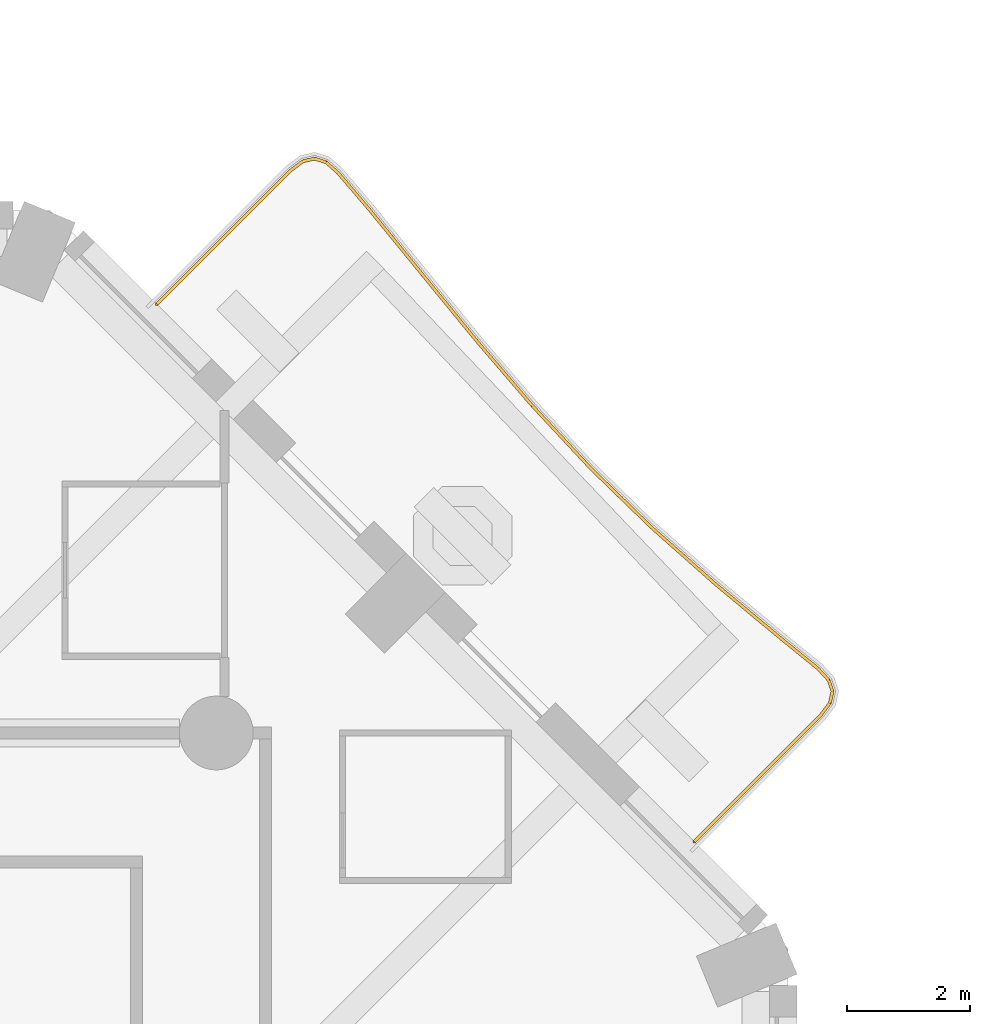
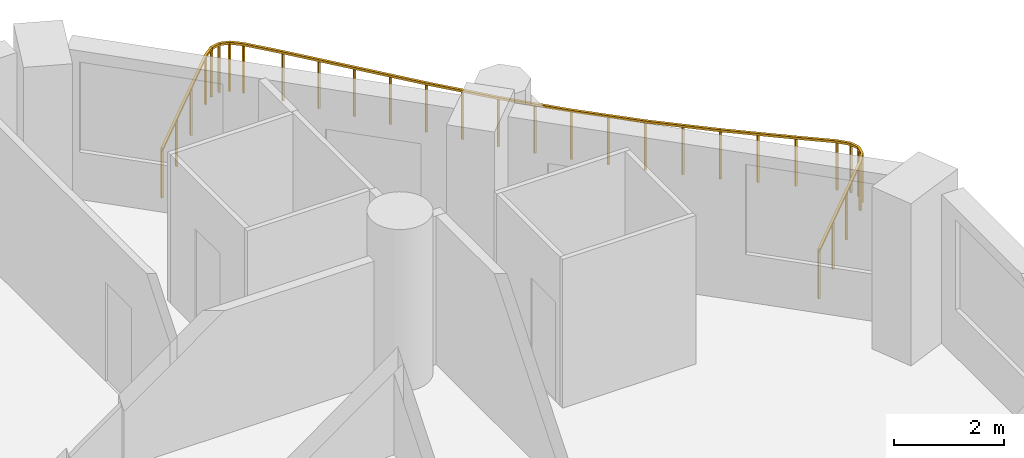
# One storey, part 19 of 20: 1 railing.
"""IFC4 building model written with IfcOpenShell, lengths in metres."""

from ifc_helpers import new_model, si_unit, direction, frame, origin, origin_2d, place, context, subcontext, project, spatial, rectangle, extrude, material, type_object, element, save


model = new_model("IFC4")

# Units and contexts
model_context = context("Model", 3, precision=1e-05, world=origin(), true_north=direction((0.0, 1.0)))
body_context = subcontext(model_context, "Body", "Model", "MODEL_VIEW")
ifc_project = project(units=[si_unit("LENGTHUNIT", "METRE"), si_unit("AREAUNIT", "SQUARE_METRE"), si_unit("VOLUMEUNIT", "CUBIC_METRE"), si_unit("PLANEANGLEUNIT", "RADIAN"), si_unit("MASSUNIT", "GRAM", prefix="KILO")], contexts=[model_context])

# Site, building, storey
site_placement = place(None, origin())
site = spatial("IfcSite", under=ifc_project, at=site_placement, CompositionType="ELEMENT")
building_placement = place(site_placement, origin())
building = spatial("IfcBuilding", under=site, at=building_placement, Name="Cypress Arch Tower", CompositionType="ELEMENT")
storey_placement = place(building_placement, frame((0.0, 0.0, 59.10009765625)))
storey = spatial("IfcBuildingStorey", under=building, at=storey_placement, Name="L08", CompositionType="ELEMENT", Elevation=59.10009765625)

# Railing
ifc_material = material(Name="Powder-coated steel posts and rods, 100 mm clear between rods", Category="steel")
railing_type = type_object("IfcRailingType", Name="Balcony guard GR1100", PredefinedType="GUARDRAIL", material=ifc_material)
railing_placement = place(storey_placement, frame((14.33251953125, 24.479736328125, 0.0)))
element("IfcRailing", 1, at=railing_placement, inside=storey, type_object=railing_type, Name="Balcony guard L08-A07", PredefinedType="GUARDRAIL", context=body_context, shape_type="SweptSolid", body=[
    extrude(rectangle(XDim=0.050048828125, YDim=0.050048828125, at=origin_2d()), frame((0.0, 0.0, 1.0751953125), z_axis=(0.707106781187, 0.707106781187, 0.0), x_axis=(-0.707106781187, 0.707106781187, 0.0)), (0.0, 0.0, 1.0), 3.06494140625),
    extrude(rectangle(XDim=0.050048828125, YDim=0.050048828125, at=origin_2d()), frame((2.167236328125, 2.167236328125, 1.0751953125), z_axis=(0.800677710026, 0.599095321855, 0.0), x_axis=(-0.599095321855, 0.800677710026, 0.0)), (0.0, 0.0, 1.0), 0.25927734375),
    extrude(rectangle(XDim=0.050048828125, YDim=0.050048828125, at=origin_2d()), frame((2.374755859375, 2.322509765625, 1.0751953125), z_axis=(0.97472665696, 0.223400859918, 0.0), x_axis=(-0.223400859918, 0.97472665696, 0.0)), (0.0, 0.0, 1.0), 0.195556640625),
    extrude(rectangle(XDim=0.050048828125, YDim=0.050048828125, at=origin_2d()), frame((2.5654296875, 2.3662109375, 1.0751953125), z_axis=(0.954258047612, -0.298984244683, 0.0), x_axis=(0.298984244683, 0.954258047612, 0.0)), (0.0, 0.0, 1.0), 0.196044921875),
    extrude(rectangle(XDim=0.050048828125, YDim=0.050048828125, at=origin_2d()), frame((2.75244140625, 2.3076171875, 1.0751953125), z_axis=(0.750881700664, -0.660436727937, 0.0), x_axis=(0.660436727937, 0.750881700664, 0.0)), (0.0, 0.0, 1.0), 0.259033203125),
    extrude(rectangle(XDim=0.050048828125, YDim=0.050048828125, at=origin_2d()), frame((2.947021484375, 2.136474609375, 1.0751953125), z_axis=(0.649362056339, -0.760479401291, 0.0), x_axis=(0.760479401291, 0.649362056339, 0.0)), (0.0, 0.0, 1.0), 0.76025390625),
    extrude(rectangle(XDim=0.050048828125, YDim=0.050048828125, at=origin_2d()), frame((3.440673828125, 1.558349609375, 1.0751953125), z_axis=(0.632406558936, -0.774636653028, 0.0), x_axis=(0.774636653028, 0.632406558936, 0.0)), (0.0, 0.0, 1.0), 1.39208984375),
    extrude(rectangle(XDim=0.050048828125, YDim=0.050048828125, at=origin_2d()), frame((4.321044921875, 0.47998046875, 1.0751953125), z_axis=(0.633056484736, -0.774105604639, 0.0), x_axis=(0.774105604639, 0.633056484736, 0.0)), (0.0, 0.0, 1.0), 1.393310546875),
    extrude(rectangle(XDim=0.050048828125, YDim=0.050048828125, at=origin_2d()), frame((5.203125, -0.5986328125, 1.0751953125), z_axis=(0.651268183097, -0.758847648534, 0.0), x_axis=(0.758847648534, 0.651268183097, 0.0)), (0.0, 0.0, 1.0), 1.39111328125),
    extrude(rectangle(XDim=0.050048828125, YDim=0.050048828125, at=origin_2d()), frame((6.109130859375, -1.654296875, 1.0751953125), z_axis=(0.681885965506, -0.731458495094, 0.0), x_axis=(0.731458495094, 0.681885965506, 0.0)), (0.0, 0.0, 1.0), 1.388916015625),
    extrude(rectangle(XDim=0.050048828125, YDim=0.050048828125, at=origin_2d()), frame((7.05615234375, -2.670166015625, 1.0751953125), z_axis=(0.71723417234, -0.696832219424, 0.0), x_axis=(0.696832219424, 0.71723417234, 0.0)), (0.0, 0.0, 1.0), 1.38818359375),
    extrude(rectangle(XDim=0.050048828125, YDim=0.050048828125, at=origin_2d()), frame((8.0517578125, -3.637451171875, 1.0751953125), z_axis=(0.748580707762, -0.663043681793, 0.0), x_axis=(0.663043681793, 0.748580707762, 0.0)), (0.0, 0.0, 1.0), 1.389892578125),
    extrude(rectangle(XDim=0.050048828125, YDim=0.050048828125, at=origin_2d()), frame((9.09228515625, -4.55908203125, 1.0751953125), z_axis=(0.769383875254, -0.638786703446, 0.0), x_axis=(0.638786703446, 0.769383875254, 0.0)), (0.0, 0.0, 1.0), 1.392822265625),
    extrude(rectangle(XDim=0.050048828125, YDim=0.050048828125, at=origin_2d()), frame((10.163818359375, -5.44873046875, 1.0751953125), z_axis=(0.776290151286, -0.630375761761, 0.0), x_axis=(0.630375761761, 0.776290151286, 0.0)), (0.0, 0.0, 1.0), 0.762939453125),
    extrude(rectangle(XDim=0.050048828125, YDim=0.050048828125, at=origin_2d()), frame((10.756103515625, -5.9296875, 1.0751953125), z_axis=(0.67871125453, -0.734405223956, 0.0), x_axis=(0.734405223956, 0.67871125453, 0.0)), (0.0, 0.0, 1.0), 0.258544921875),
    extrude(rectangle(XDim=0.050048828125, YDim=0.050048828125, at=origin_2d()), frame((10.931640625, -6.11962890625, 1.0751953125), z_axis=(0.315848722312, -0.948809561827, 0.0), x_axis=(0.948809561827, 0.315848722312, 0.0)), (0.0, 0.0, 1.0), 0.193359375),
    extrude(rectangle(XDim=0.050048828125, YDim=0.050048828125, at=origin_2d()), frame((10.99267578125, -6.302978515625, 1.0751953125), z_axis=(-0.217465908951, -0.976067916922, 0.0), x_axis=(0.976067916922, -0.217465908951, 0.0)), (0.0, 0.0, 1.0), 0.193115234375),
    extrude(rectangle(XDim=0.050048828125, YDim=0.050048828125, at=origin_2d()), frame((10.95068359375, -6.491455078125, 1.0751953125), z_axis=(-0.598337706181, -0.801244026101, 0.0), x_axis=(0.801244026101, -0.598337706181, 0.0)), (0.0, 0.0, 1.0), 0.2587890625),
    extrude(rectangle(XDim=0.050048828125, YDim=0.050048828125, at=origin_2d()), frame((10.7958984375, -6.69873046875, 1.0751953125), z_axis=(-0.707106781187, -0.707106781187, 0.0), x_axis=(0.707106781187, -0.707106781187, 0.0)), (0.0, 0.0, 1.0), 2.897216796875),
    extrude(rectangle(XDim=0.0400390625, YDim=0.0400390625, at=origin_2d()), origin(), (0.0, 0.0, 1.0), 1.050048828125),
    extrude(rectangle(XDim=0.0400390625, YDim=0.0400390625, at=origin_2d()), frame((0.722412109375, 0.722412109375, 0.0)), (0.0, 0.0, 1.0), 1.050048828125),
    extrude(rectangle(XDim=0.0400390625, YDim=0.0400390625, at=origin_2d()), frame((1.44482421875, 1.44482421875, 0.0)), (0.0, 0.0, 1.0), 1.050048828125),
    extrude(rectangle(XDim=0.0400390625, YDim=0.0400390625, at=origin_2d()), frame((2.167236328125, 2.167236328125, 0.0)), (0.0, 0.0, 1.0), 1.050048828125),
    extrude(rectangle(XDim=0.0400390625, YDim=0.0400390625, at=origin_2d()), frame((2.374755859375, 2.322509765625, 0.0)), (0.0, 0.0, 1.0), 1.050048828125),
    extrude(rectangle(XDim=0.0400390625, YDim=0.0400390625, at=origin_2d()), frame((2.5654296875, 2.3662109375, 0.0)), (0.0, 0.0, 1.0), 1.050048828125),
    extrude(rectangle(XDim=0.0400390625, YDim=0.0400390625, at=origin_2d()), frame((2.75244140625, 2.3076171875, 0.0)), (0.0, 0.0, 1.0), 1.050048828125),
    extrude(rectangle(XDim=0.0400390625, YDim=0.0400390625, at=origin_2d()), frame((2.947021484375, 2.136474609375, 0.0)), (0.0, 0.0, 1.0), 1.050048828125),
    extrude(rectangle(XDim=0.0400390625, YDim=0.0400390625, at=origin_2d()), frame((3.440673828125, 1.558349609375, 0.0)), (0.0, 0.0, 1.0), 1.050048828125),
    extrude(rectangle(XDim=0.0400390625, YDim=0.0400390625, at=origin_2d()), frame((3.880859375, 1.01904296875, 0.0)), (0.0, 0.0, 1.0), 1.050048828125),
    extrude(rectangle(XDim=0.0400390625, YDim=0.0400390625, at=origin_2d()), frame((4.321044921875, 0.47998046875, 0.0)), (0.0, 0.0, 1.0), 1.050048828125),
    extrude(rectangle(XDim=0.0400390625, YDim=0.0400390625, at=origin_2d()), frame((4.76220703125, -0.059326171875, 0.0)), (0.0, 0.0, 1.0), 1.050048828125),
    extrude(rectangle(XDim=0.0400390625, YDim=0.0400390625, at=origin_2d()), frame((5.203125, -0.5986328125, 0.0)), (0.0, 0.0, 1.0), 1.050048828125),
    extrude(rectangle(XDim=0.0400390625, YDim=0.0400390625, at=origin_2d()), frame((5.65625, -1.12646484375, 0.0)), (0.0, 0.0, 1.0), 1.050048828125),
    extrude(rectangle(XDim=0.0400390625, YDim=0.0400390625, at=origin_2d()), frame((6.109130859375, -1.654296875, 0.0)), (0.0, 0.0, 1.0), 1.050048828125),
    extrude(rectangle(XDim=0.0400390625, YDim=0.0400390625, at=origin_2d()), frame((6.58251953125, -2.162109375, 0.0)), (0.0, 0.0, 1.0), 1.050048828125),
    extrude(rectangle(XDim=0.0400390625, YDim=0.0400390625, at=origin_2d()), frame((7.05615234375, -2.670166015625, 0.0)), (0.0, 0.0, 1.0), 1.050048828125),
    extrude(rectangle(XDim=0.0400390625, YDim=0.0400390625, at=origin_2d()), frame((7.553955078125, -3.15380859375, 0.0)), (0.0, 0.0, 1.0), 1.050048828125),
    extrude(rectangle(XDim=0.0400390625, YDim=0.0400390625, at=origin_2d()), frame((8.0517578125, -3.637451171875, 0.0)), (0.0, 0.0, 1.0), 1.050048828125),
    extrude(rectangle(XDim=0.0400390625, YDim=0.0400390625, at=origin_2d()), frame((8.572021484375, -4.09814453125, 0.0)), (0.0, 0.0, 1.0), 1.050048828125),
    extrude(rectangle(XDim=0.0400390625, YDim=0.0400390625, at=origin_2d()), frame((9.09228515625, -4.55908203125, 0.0)), (0.0, 0.0, 1.0), 1.050048828125),
    extrude(rectangle(XDim=0.0400390625, YDim=0.0400390625, at=origin_2d()), frame((9.6279296875, -5.00390625, 0.0)), (0.0, 0.0, 1.0), 1.050048828125),
    extrude(rectangle(XDim=0.0400390625, YDim=0.0400390625, at=origin_2d()), frame((10.163818359375, -5.44873046875, 0.0)), (0.0, 0.0, 1.0), 1.050048828125),
    extrude(rectangle(XDim=0.0400390625, YDim=0.0400390625, at=origin_2d()), frame((10.756103515625, -5.9296875, 0.0)), (0.0, 0.0, 1.0), 1.050048828125),
    extrude(rectangle(XDim=0.0400390625, YDim=0.0400390625, at=origin_2d()), frame((10.931640625, -6.11962890625, 0.0)), (0.0, 0.0, 1.0), 1.050048828125),
    extrude(rectangle(XDim=0.0400390625, YDim=0.0400390625, at=origin_2d()), frame((10.99267578125, -6.302978515625, 0.0)), (0.0, 0.0, 1.0), 1.050048828125),
    extrude(rectangle(XDim=0.0400390625, YDim=0.0400390625, at=origin_2d()), frame((10.95068359375, -6.491455078125, 0.0)), (0.0, 0.0, 1.0), 1.050048828125),
    extrude(rectangle(XDim=0.0400390625, YDim=0.0400390625, at=origin_2d()), frame((10.7958984375, -6.69873046875, 0.0)), (0.0, 0.0, 1.0), 1.050048828125),
    extrude(rectangle(XDim=0.0400390625, YDim=0.0400390625, at=origin_2d()), frame((10.113037109375, -7.381591796875, 0.0)), (0.0, 0.0, 1.0), 1.050048828125),
    extrude(rectangle(XDim=0.0400390625, YDim=0.0400390625, at=origin_2d()), frame((9.43017578125, -8.064453125, 0.0)), (0.0, 0.0, 1.0), 1.050048828125),
    extrude(rectangle(XDim=0.0400390625, YDim=0.0400390625, at=origin_2d()), frame((8.747314453125, -8.747314453125, 0.0)), (0.0, 0.0, 1.0), 1.050048828125),
])

save(model, "model.ifc")
